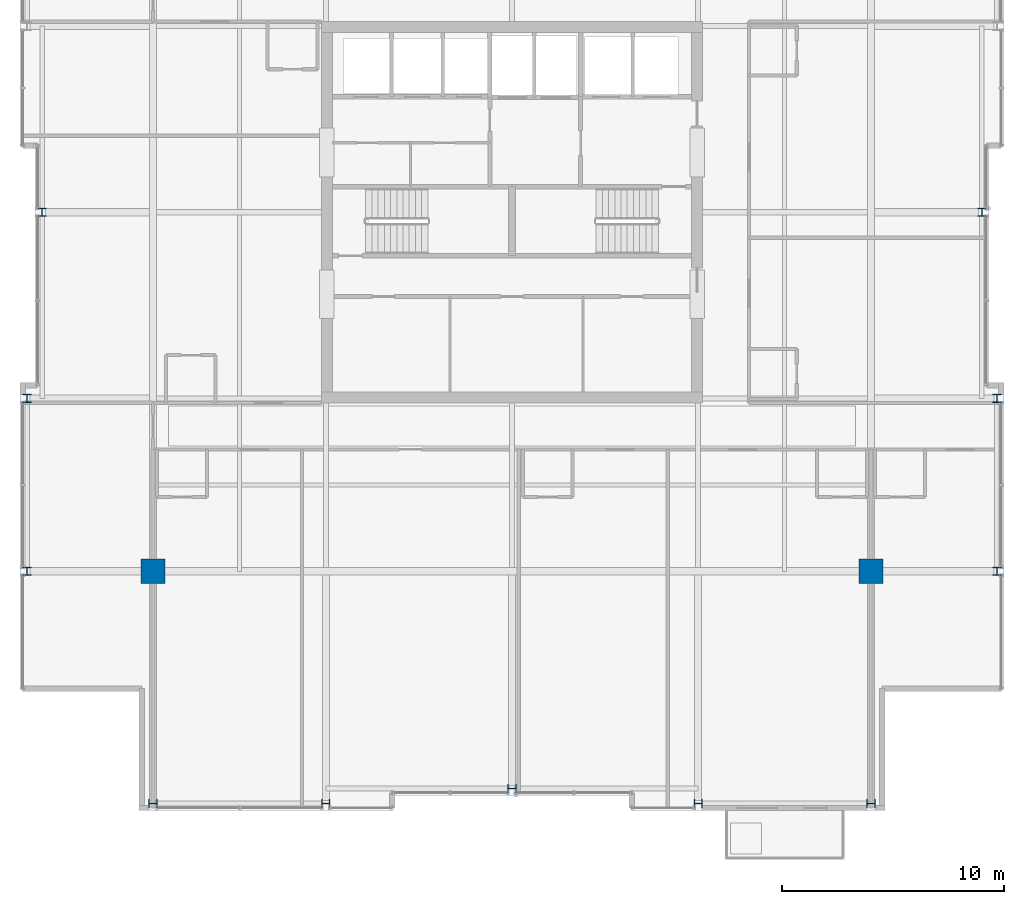
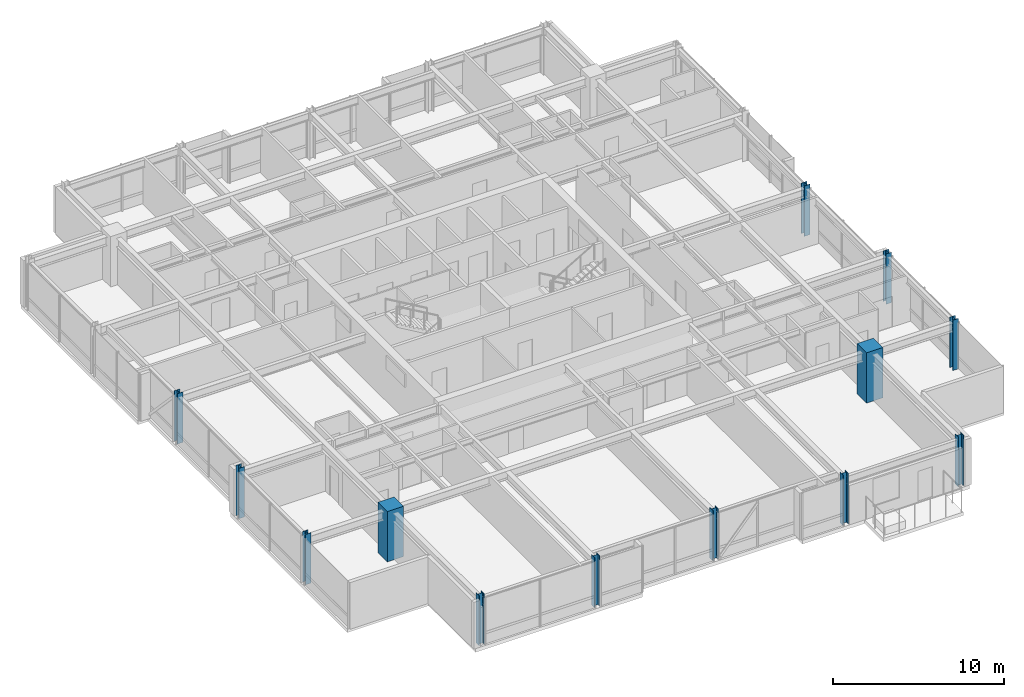
# One storey, part 1 of 32: 13 columns.
"""IFC4 building model written with IfcOpenShell, lengths in metres."""

from ifc_helpers import new_model, si_unit, direction, frame, origin, origin_2d, place, context, subcontext, project, spatial, rectangle, i_section, extrude, material, material_profile, profile_set, type_object, element, save


model = new_model("IFC4")

# Units and contexts
model_context = context("Model", 3, precision=1e-05, world=origin(), true_north=direction((0.0, 1.0)))
body_context = subcontext(model_context, "Body", "Model", "MODEL_VIEW")
ifc_project = project(units=[si_unit("LENGTHUNIT", "METRE"), si_unit("AREAUNIT", "SQUARE_METRE"), si_unit("VOLUMEUNIT", "CUBIC_METRE"), si_unit("PLANEANGLEUNIT", "RADIAN"), si_unit("MASSUNIT", "GRAM", prefix="KILO")], contexts=[model_context])

# Site, building, storey
site_placement = place(None, origin())
site = spatial("IfcSite", under=ifc_project, at=site_placement, CompositionType="ELEMENT")
building_placement = place(site_placement, origin())
building = spatial("IfcBuilding", under=site, at=building_placement, Name="Drelvath Grand Hotel", CompositionType="ELEMENT")
storey_placement = place(building_placement, frame((0.0, 0.0, 241.10009765625)))
storey = spatial("IfcBuildingStorey", under=building, at=storey_placement, Name="L63", CompositionType="ELEMENT", Elevation=241.10009765625)

# Columns
ifc_material_1 = material(Name="Concrete f'c 55 MPa", Category="concrete")
ifc_material_profile_1 = material_profile(ifc_material_1, rectangle(XDim=1.10009765625, YDim=1.10009765625, at=origin_2d()), Name="MC1100X1100")
ifc_profile_set_1 = profile_set([ifc_material_profile_1], Name="Concrete f'c 55 MPa")
column_type_1 = type_object("IfcColumnType", Name="Composite Mega Column MC1100X1100", PredefinedType="COLUMN", material=ifc_profile_set_1)
for number, where, z_axis, x_axis, name in (
    (1, (-16.199951171875, 10.800048828125, 0.0), (0.0, 0.0, 1.0), (1.0, 0.0, 0.0), "L63 Composite Mega Column MC-SW"),
    (2, (16.199951171875, 10.800048828125, 0.0), (0.0, 0.0, 1.0), (1.0, 0.0, 0.0), "L63 Composite Mega Column MC-SE"),
):
    element("IfcColumn", number, at=place(storey_placement, frame(where, z_axis=z_axis, x_axis=x_axis)), inside=storey, type_object=column_type_1, Name=name, PredefinedType="COLUMN", context=body_context, shape_type="SweptSolid", body=[
        extrude(rectangle(XDim=1.10009765625, YDim=1.10009765625, at=origin_2d()), origin(), (0.0, 0.0, 1.0), 3.599853515625),
    ])
ifc_material_2 = material(Name="Steel ASTM A913 Gr 65", Category="steel")
ifc_material_profile_2 = material_profile(ifc_material_2, i_section(OverallWidth=0.3740234375, OverallDepth=0.372314453125, WebThickness=0.016357421875, FlangeThickness=0.026123046875, FilletRadius=0.02490234375, at=origin_2d()), Name="W14X132")
ifc_profile_set_2 = profile_set([ifc_material_profile_2], Name="Steel ASTM A913 Gr 65")
column_type_2 = type_object("IfcColumnType", Name="Perimeter Steel Column W14X132", PredefinedType="COLUMN", material=ifc_profile_set_2)
for number, where, z_axis, x_axis, name in (
    (3, (-21.8798828125, 10.800048828125, 0.0), (0.0, 0.0, 1.0), (1.0, 0.0, 0.0), "L63 Structural Column TCW-C"),
    (4, (21.8798828125, 10.800048828125, 0.0), (0.0, 0.0, 1.0), (1.0, 0.0, 0.0), "L63 Structural Column TCE-C"),
    (5, (-21.8798828125, 18.60009765625, 0.0), (0.0, 0.0, 1.0), (1.0, 0.0, 0.0), "L63 Structural Column TCW-D"),
    (6, (21.8798828125, 18.60009765625, 0.0), (0.0, 0.0, 1.0), (1.0, 0.0, 0.0), "L63 Structural Column TCE-D"),
    (7, (-21.199951171875, 27.0, 0.0), (0.0, 0.0, 1.0), (1.0, 0.0, 0.0), "L63 Structural Column TCW-E"),
    (8, (21.199951171875, 27.0, 0.0), (0.0, 0.0, 1.0), (1.0, 0.0, 0.0), "L63 Structural Column TCE-E"),
    (9, (-16.199951171875, 0.320068359375, 0.0), (0.0, 0.0, 1.0), (0.0, 1.0, 0.0), "L63 Structural Column TCS-3"),
    (10, (-8.39990234375, 0.320068359375, 0.0), (0.0, 0.0, 1.0), (0.0, 1.0, 0.0), "L63 Structural Column TCS-4"),
    (11, (0.0, 1.0, 0.0), (0.0, 0.0, 1.0), (0.0, 1.0, 0.0), "L63 Structural Column TCS-5"),
    (12, (8.39990234375, 0.320068359375, 0.0), (0.0, 0.0, 1.0), (0.0, 1.0, 0.0), "L63 Structural Column TCS-6"),
    (13, (16.199951171875, 0.320068359375, 0.0), (0.0, 0.0, 1.0), (0.0, 1.0, 0.0), "L63 Structural Column TCS-7"),
):
    element("IfcColumn", number, at=place(storey_placement, frame(where, z_axis=z_axis, x_axis=x_axis)), inside=storey, type_object=column_type_2, Name=name, PredefinedType="COLUMN", context=body_context, shape_type="SweptSolid", body=[
        extrude(i_section(OverallWidth=0.3740234375, OverallDepth=0.372314453125, WebThickness=0.016357421875, FlangeThickness=0.026123046875, FilletRadius=0.02490234375, at=origin_2d()), origin(), (0.0, 0.0, 1.0), 3.596923828125),
    ])

save(model, "model.ifc")
